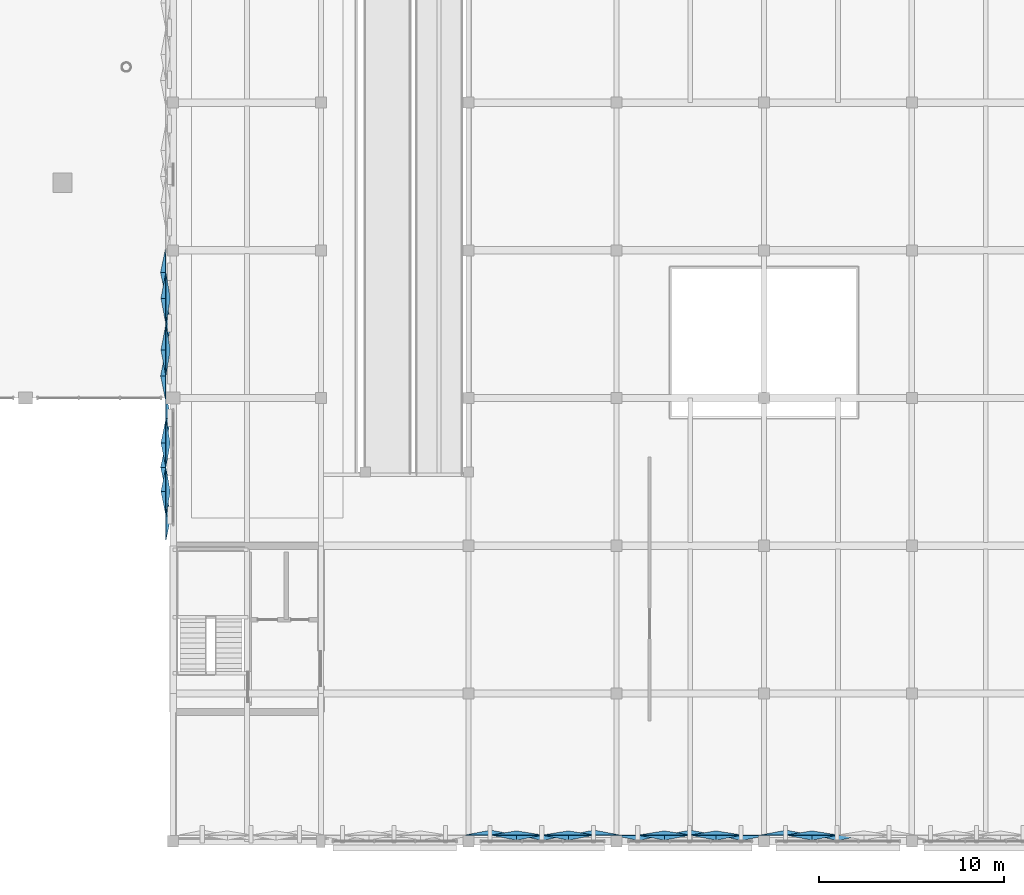
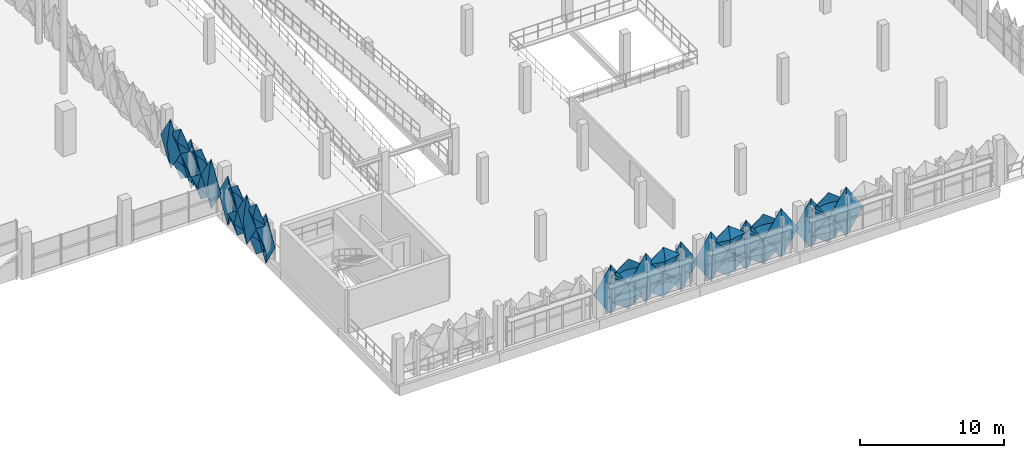
# One storey, part 94 of 123: 32 plates.
"""IFC4 building model written with IfcOpenShell, lengths in metres."""

import ifcopenshell
import ifcopenshell.guid

model = None  # the IFC model being written
_history = None  # IfcOwnerHistory: only IFC2X3 demands one
_inside = {}  # id of a spatial element -> (the spatial element, [elements in it])
_under = {}  # id of a project, library or spatial element -> (it, [spatial elements below it])
_declared = {}  # id of a project -> (the project, [libraries it declares])
_typed = {}  # id of a type object -> (the type object, [elements of that type])
_made_of = {}  # id of a material, layer set ... -> (it, [elements and type objects made of it])


def new_model(schema):
    """Start an empty IFC model of exactly this schema.

    Asked for "IFC4X3", IfcOpenShell would pick the latest addendum, in which some entities
    have other attributes; the version numbers below select the first issue.
    IFC2X3 requires an IfcOwnerHistory on every rooted entity: one is made here for all.
    """
    global model, _history
    if schema == "IFC4X3":
        model = ifcopenshell.file(schema_version=(4, 3, 0, 0))
    else:
        model = ifcopenshell.file(schema=schema)
    _inside.clear()
    _under.clear()
    _declared.clear()
    _typed.clear()
    _made_of.clear()
    _history = None
    if model.schema == "IFC2X3":
        org = make("IfcOrganization", Name="unknown")
        user = make(
            "IfcPersonAndOrganization",
            ThePerson=make("IfcPerson", FamilyName="unknown"),
            TheOrganization=org,
        )
        app = make(
            "IfcApplication",
            ApplicationDeveloper=org,
            Version="unknown",
            ApplicationFullName="unknown",
            ApplicationIdentifier="unknown",
        )
        _history = make(
            "IfcOwnerHistory",
            OwningUser=user,
            OwningApplication=app,
            ChangeAction="ADDED",
            CreationDate=0,
        )
    return model


def make(cls, **values):
    """One entity of the class cls with the attributes given. An attribute that is None is left unset."""
    return model.create_entity(
        cls, **{name: value for name, value in values.items() if value is not None}
    )


def rooted(cls, **values):
    """An entity with a GlobalId (a new one), such as an element, a storey or a relation."""
    return make(cls, GlobalId=ifcopenshell.guid.new(), OwnerHistory=_history, **values)


def si_unit(unit_type, name, prefix=None):
    """IfcSIUnit, for example si_unit("LENGTHUNIT", "METRE", prefix="MILLI")."""
    return make("IfcSIUnit", UnitType=unit_type, Prefix=prefix, Name=name)


def derived_unit(unit_type, elements):
    """IfcDerivedUnit: a product of units, each with its exponent."""
    return make(
        "IfcDerivedUnit",
        Elements=[
            make("IfcDerivedUnitElement", Unit=unit, Exponent=power)
            for unit, power in elements
        ],
        UnitType=unit_type,
    )


def assignment(units):
    """IfcUnitAssignment: the units of a project."""
    return None if units is None else make("IfcUnitAssignment", Units=units)


def point(xyz):
    """IfcCartesianPoint."""
    return None if xyz is None else make("IfcCartesianPoint", Coordinates=xyz)


def direction(xyz):
    """IfcDirection."""
    return None if xyz is None else make("IfcDirection", DirectionRatios=xyz)


def frame(location, z_axis=None, x_axis=None):
    """IfcAxis2Placement3D, a coordinate frame: its origin and axes. An axis left out is left unset."""
    return make(
        "IfcAxis2Placement3D",
        Location=point(location),
        Axis=direction(z_axis),
        RefDirection=direction(x_axis),
    )


def origin():
    """The frame at (0, 0, 0) with its axes left unset."""
    return frame((0.0, 0.0, 0.0))


def place(relative_to, where):
    """IfcLocalPlacement: puts the frame where relative to a parent placement (None: the world)."""
    return make(
        "IfcLocalPlacement", PlacementRelTo=relative_to, RelativePlacement=where
    )


def context(
    kind, dimensions, precision=None, world=None, true_north=None, identifier=None
):
    """IfcGeometricRepresentationContext, for example the 3D "Model" context."""
    return make(
        "IfcGeometricRepresentationContext",
        ContextIdentifier=identifier,
        ContextType=kind,
        CoordinateSpaceDimension=dimensions,
        Precision=precision,
        WorldCoordinateSystem=world,
        TrueNorth=true_north,
    )


def subcontext(parent, identifier, kind, view, scale=None):
    """IfcGeometricRepresentationSubContext, for example "Body" below "Model"."""
    return make(
        "IfcGeometricRepresentationSubContext",
        ContextIdentifier=identifier,
        ContextType=kind,
        ParentContext=parent,
        TargetScale=scale,
        TargetView=view,
    )


def project(units=None, contexts=None):
    """IfcProject with its units and contexts."""
    return rooted(
        "IfcProject",
        Name="project",
        RepresentationContexts=contexts,
        UnitsInContext=assignment(units),
    )


def spatial(cls, under=None, at=None, **own):
    """A site, building, storey or space (cls), placed at a placement, below another one or the project."""
    s = rooted(cls, ObjectPlacement=at, **own)
    if under is not None:
        _under.setdefault(under.id(), (under, []))[1].append(s)
    return s


def point_list(points):
    """IfcCartesianPointList2D or 3D."""
    cls = (
        "IfcCartesianPointList2D" if len(points[0]) == 2 else "IfcCartesianPointList3D"
    )
    return make(cls, CoordList=points)


def polygons(points, faces, closed=None, point_numbers=None):
    """IfcPolygonalFaceSet: a face is its outer loop, then its inner loops; points numbered from 1."""
    made = []
    for loops in faces:
        if len(loops) == 1:
            made.append(make("IfcIndexedPolygonalFace", CoordIndex=loops[0]))
        else:
            made.append(
                make(
                    "IfcIndexedPolygonalFaceWithVoids",
                    CoordIndex=loops[0],
                    InnerCoordIndices=loops[1:],
                )
            )
    return make(
        "IfcPolygonalFaceSet",
        Coordinates=point_list(points),
        Closed=closed,
        Faces=made,
        PnIndex=point_numbers,
    )


def shape(context_of_items, identifier, shape_type, items):
    """IfcShapeRepresentation: the items that make up one representation, for example the "Body"."""
    return make(
        "IfcShapeRepresentation",
        ContextOfItems=context_of_items,
        RepresentationIdentifier=identifier,
        RepresentationType=shape_type,
        Items=items,
    )


def material(Name=None, Category=None):
    """IfcMaterial."""
    return make("IfcMaterial", Name=Name, Category=Category)


def layer(
    of_material, thickness, ventilated=None, Name=None, Category=None, Priority=None
):
    """IfcMaterialLayer: one layer of a wall or slab, of a material (None: an air gap)."""
    return make(
        "IfcMaterialLayer",
        Material=of_material,
        LayerThickness=thickness,
        IsVentilated=ventilated,
        Name=Name,
        Category=Category,
        Priority=Priority,
    )


def layer_set(layers, Name=None):
    """IfcMaterialLayerSet."""
    return make("IfcMaterialLayerSet", MaterialLayers=layers, LayerSetName=Name)


def made_of(thing, what):
    """Note that an element or type object is made of a material, layer set ...; save() writes the relation."""
    if what is not None:
        _made_of.setdefault(what.id(), (what, []))[1].append(thing)
    return thing


def type_object(cls, material=None, **own):
    """A type object (cls), such as IfcWallType, which elements share."""
    return made_of(rooted(cls, **own), material)


def element(
    cls,
    number,
    at=None,
    inside=None,
    cuts=None,
    type_object=None,
    material=None,
    context=None,
    identifier="Body",
    shape_type=None,
    held_by="IfcProductDefinitionShape",
    body=None,
    shapes=None,
    **own,
):
    """One element of the class cls, such as IfcWall. Its Tag is "e" and its number.

    at: its placement. inside: the storey or other place that contains it. cuts: it is an
    opening in that element (IfcRelVoidsElement). A single representation is given by context,
    identifier, shape_type and body (its items); several are given by shapes. held_by: the class
    of the entity that holds the representations. save() writes the other relations.
    """
    e = rooted(cls, Tag="e%d" % number, ObjectPlacement=at, **own)
    if body is not None:
        shapes = [shape(context, identifier, shape_type, body)]
    if shapes is not None:
        e.Representation = make(held_by, Representations=shapes)
    if inside is not None:
        _inside.setdefault(inside.id(), (inside, []))[1].append(e)
    if cuts is not None:
        rooted(
            "IfcRelVoidsElement", RelatingBuildingElement=cuts, RelatedOpeningElement=e
        )
    if type_object is not None:
        _typed.setdefault(type_object.id(), (type_object, []))[1].append(e)
    return made_of(e, material)


def aggregate(whole, parts):
    """IfcRelAggregates: a whole, such as a stair, and the parts it consists of."""
    return rooted("IfcRelAggregates", RelatingObject=whole, RelatedObjects=parts)


def save(model, path):
    """Write the relations noted so far, then the file.

    IfcRelAggregates (storeys below a building ...), IfcRelContainedInSpatialStructure (elements
    in a storey), IfcRelDefinesByType, IfcRelAssociatesMaterial and IfcRelDeclares: one each for
    every whole, place, type object, material and project.
    """
    for whole, parts in _under.values():
        aggregate(whole, parts)
    for where, things in _inside.values():
        rooted(
            "IfcRelContainedInSpatialStructure",
            RelatedElements=things,
            RelatingStructure=where,
        )
    for kind, things in _typed.values():
        rooted("IfcRelDefinesByType", RelatedObjects=things, RelatingType=kind)
    for what, things in _made_of.values():
        rooted("IfcRelAssociatesMaterial", RelatedObjects=things, RelatingMaterial=what)
    for by, libraries in _declared.values():
        rooted("IfcRelDeclares", RelatingContext=by, RelatedDefinitions=libraries)
    model.write(path)


model = new_model("IFC4")

# Units and contexts
model_context = context("Model", 3, precision=1e-05, world=origin(), true_north=direction((0.0, 1.0)))
body_context = subcontext(model_context, "Body", "Model", "MODEL_VIEW")
ifc_project = project(units=[si_unit("LENGTHUNIT", "METRE"), si_unit("AREAUNIT", "SQUARE_METRE"), si_unit("VOLUMEUNIT", "CUBIC_METRE"), si_unit("PLANEANGLEUNIT", "RADIAN"), si_unit("MASSUNIT", "GRAM", prefix="KILO"), si_unit("THERMODYNAMICTEMPERATUREUNIT", "KELVIN"), derived_unit("THERMALTRANSMITTANCEUNIT", [(si_unit("POWERUNIT", "WATT"), 1), (si_unit("AREAUNIT", "SQUARE_METRE"), -1), (si_unit("THERMODYNAMICTEMPERATUREUNIT", "KELVIN"), -1)])], contexts=[model_context])

# Site, building, storey
site_placement = place(None, origin())
site = spatial("IfcSite", under=ifc_project, at=site_placement, CompositionType="ELEMENT")
building_placement = place(site_placement, origin())
building = spatial("IfcBuilding", under=site, at=building_placement, Name="Haiyu Intermodal Mobility Hub", CompositionType="ELEMENT")
storey_placement = place(building_placement, frame((0.0, 0.0, 5.60009765625)))
storey = spatial("IfcBuildingStorey", under=building, at=storey_placement, Name="L01", CompositionType="ELEMENT", Elevation=5.60009765625)

# Plates
ifc_material = material(Name="Anodised aluminium 6063-T6", Category="aluminium")
ifc_layer_1 = layer(ifc_material, 0.01806640625)
ifc_layer_set_1 = layer_set([ifc_layer_1], Name="Anodised aluminium 6063-T6")
plate_type_1 = type_object("IfcPlateType", Name="PLT-FC03", PredefinedType="USERDEFINED", material=ifc_layer_set_1)
plate_1_placement = place(storey_placement, origin())
element("IfcPlate", 1, at=plate_1_placement, inside=storey, type_object=plate_type_1, Name="PLT-PYR-1494", ObjectType="FACADE CASSETTE", PredefinedType="USERDEFINED", context=body_context, shape_type="Tessellation", body=[
    polygons([(172.60009765625, 16.320068359375, -0.52001953125), (173.97998046875, 16.320068359375, 0.52978515625), (172.60009765625, 16.320068359375, 1.579833984375), (171.219970703125, 16.320068359375, 0.52978515625), (172.60009765625, 16.06005859375, 0.52978515625), (172.60009765625, 16.342041015625, -0.52001953125), (173.97998046875, 16.342041015625, 0.52978515625), (172.60009765625, 16.342041015625, 1.579833984375), (171.219970703125, 16.342041015625, 0.52978515625), (172.60009765625, 16.08203125, 0.52978515625)], [[[1, 2, 5]], [[2, 3, 5]], [[3, 4, 5]], [[4, 1, 5]], [[7, 6, 10]], [[8, 7, 10]], [[9, 8, 10]], [[6, 9, 10]], [[1, 6, 7, 2]], [[2, 7, 8, 3]], [[3, 8, 9, 4]], [[4, 9, 6, 1]]], closed=True),
])
plate_2_placement = place(storey_placement, origin())
element("IfcPlate", 2, at=plate_2_placement, inside=storey, type_object=plate_type_1, Name="PLT-PYR-1500", ObjectType="FACADE CASSETTE", PredefinedType="USERDEFINED", context=body_context, shape_type="Tessellation", body=[
    polygons([(179.199951171875, 16.320068359375, -0.510009765625), (180.580078125, 16.320068359375, 1.599853515625), (179.199951171875, 16.320068359375, 3.7099609375), (177.820068359375, 16.320068359375, 1.599853515625), (179.199951171875, 16.0400390625, 1.599853515625), (179.199951171875, 16.342041015625, -0.510009765625), (180.580078125, 16.342041015625, 1.599853515625), (179.199951171875, 16.342041015625, 3.7099609375), (177.820068359375, 16.342041015625, 1.599853515625), (179.199951171875, 16.06201171875, 1.599853515625)], [[[1, 2, 5]], [[2, 3, 5]], [[3, 4, 5]], [[4, 1, 5]], [[7, 6, 10]], [[8, 7, 10]], [[9, 8, 10]], [[6, 9, 10]], [[1, 6, 7, 2]], [[2, 7, 8, 3]], [[3, 8, 9, 4]], [[4, 9, 6, 1]]], closed=True),
])
plate_3_placement = place(storey_placement, origin())
element("IfcPlate", 3, at=plate_3_placement, inside=storey, type_object=plate_type_1, Name="PLT-PYR-1504", ObjectType="FACADE CASSETTE", PredefinedType="USERDEFINED", context=body_context, shape_type="Tessellation", body=[
    polygons([(183.39990234375, 16.320068359375, -0.52001953125), (184.780029296875, 16.320068359375, 0.52978515625), (183.39990234375, 16.320068359375, 1.579833984375), (182.02001953125, 16.320068359375, 0.52978515625), (183.39990234375, 16.06005859375, 0.52978515625), (183.39990234375, 16.342041015625, -0.52001953125), (184.780029296875, 16.342041015625, 0.52978515625), (183.39990234375, 16.342041015625, 1.579833984375), (182.02001953125, 16.342041015625, 0.52978515625), (183.39990234375, 16.08203125, 0.52978515625)], [[[1, 2, 5]], [[2, 3, 5]], [[3, 4, 5]], [[4, 1, 5]], [[7, 6, 10]], [[8, 7, 10]], [[9, 8, 10]], [[6, 9, 10]], [[1, 6, 7, 2]], [[2, 7, 8, 3]], [[3, 8, 9, 4]], [[4, 9, 6, 1]]], closed=True),
])
plate_4_placement = place(storey_placement, origin())
element("IfcPlate", 4, at=plate_4_placement, inside=storey, type_object=plate_type_1, Name="PLT-PYR-1508", ObjectType="FACADE CASSETTE", PredefinedType="USERDEFINED", context=body_context, shape_type="Tessellation", body=[
    polygons([(188.60009765625, 16.320068359375, -0.52001953125), (189.97998046875, 16.320068359375, 0.52978515625), (188.60009765625, 16.320068359375, 1.579833984375), (187.219970703125, 16.320068359375, 0.52978515625), (188.60009765625, 16.06005859375, 0.52978515625), (188.60009765625, 16.342041015625, -0.52001953125), (189.97998046875, 16.342041015625, 0.52978515625), (188.60009765625, 16.342041015625, 1.579833984375), (187.219970703125, 16.342041015625, 0.52978515625), (188.60009765625, 16.08203125, 0.52978515625)], [[[1, 2, 5]], [[2, 3, 5]], [[3, 4, 5]], [[4, 1, 5]], [[7, 6, 10]], [[8, 7, 10]], [[9, 8, 10]], [[6, 9, 10]], [[1, 6, 7, 2]], [[2, 7, 8, 3]], [[3, 8, 9, 4]], [[4, 9, 6, 1]]], closed=True),
])
plate_5_placement = place(storey_placement, origin())
element("IfcPlate", 5, at=plate_5_placement, inside=storey, type_object=plate_type_1, Name="PLT-PYR-1567", ObjectType="FACADE CASSETTE", PredefinedType="USERDEFINED", context=body_context, shape_type="Tessellation", body=[
    polygons([(153.60009765625, 37.56689453125, -0.52001953125), (153.60009765625, 36.27001953125, 0.52978515625), (153.60009765625, 37.56689453125, 1.579833984375), (153.60009765625, 38.863037109375, 0.52978515625), (153.340087890625, 37.56689453125, 0.52978515625), (153.6220703125, 37.56689453125, -0.52001953125), (153.6220703125, 36.27001953125, 0.52978515625), (153.6220703125, 37.56689453125, 1.579833984375), (153.6220703125, 38.863037109375, 0.52978515625), (153.362060546875, 37.56689453125, 0.52978515625)], [[[1, 2, 5]], [[2, 3, 5]], [[3, 4, 5]], [[4, 1, 5]], [[7, 6, 10]], [[8, 7, 10]], [[9, 8, 10]], [[6, 9, 10]], [[1, 6, 7, 2]], [[2, 7, 8, 3]], [[3, 8, 9, 4]], [[4, 9, 6, 1]]], closed=True),
])
plate_6_placement = place(storey_placement, origin())
element("IfcPlate", 6, at=plate_6_placement, inside=storey, type_object=plate_type_1, Name="PLT-PYR-1573", ObjectType="FACADE CASSETTE", PredefinedType="USERDEFINED", context=body_context, shape_type="Tessellation", body=[
    polygons([(153.60009765625, 46.800048828125, -0.510009765625), (153.60009765625, 45.419921875, 1.599853515625), (153.60009765625, 46.800048828125, 3.7099609375), (153.60009765625, 48.179931640625, 1.599853515625), (153.320068359375, 46.800048828125, 1.599853515625), (153.6220703125, 46.800048828125, -0.510009765625), (153.6220703125, 45.419921875, 1.599853515625), (153.6220703125, 46.800048828125, 3.7099609375), (153.6220703125, 48.179931640625, 1.599853515625), (153.342041015625, 46.800048828125, 1.599853515625)], [[[1, 2, 5]], [[2, 3, 5]], [[3, 4, 5]], [[4, 1, 5]], [[7, 6, 10]], [[8, 7, 10]], [[9, 8, 10]], [[6, 9, 10]], [[1, 6, 7, 2]], [[2, 7, 8, 3]], [[3, 8, 9, 4]], [[4, 9, 6, 1]]], closed=True),
])
plate_7_placement = place(storey_placement, origin())
element("IfcPlate", 7, at=plate_7_placement, inside=storey, type_object=plate_type_1, Name="PLT-PYR-1577", ObjectType="FACADE CASSETTE", PredefinedType="USERDEFINED", context=body_context, shape_type="Tessellation", body=[
    polygons([(153.60009765625, 42.60009765625, -0.52001953125), (153.60009765625, 41.219970703125, 0.52978515625), (153.60009765625, 42.60009765625, 1.579833984375), (153.60009765625, 43.97998046875, 0.52978515625), (153.340087890625, 42.60009765625, 0.52978515625), (153.6220703125, 42.60009765625, -0.52001953125), (153.6220703125, 41.219970703125, 0.52978515625), (153.6220703125, 42.60009765625, 1.579833984375), (153.6220703125, 43.97998046875, 0.52978515625), (153.362060546875, 42.60009765625, 0.52978515625)], [[[1, 2, 5]], [[2, 3, 5]], [[3, 4, 5]], [[4, 1, 5]], [[7, 6, 10]], [[8, 7, 10]], [[9, 8, 10]], [[6, 9, 10]], [[1, 6, 7, 2]], [[2, 7, 8, 3]], [[3, 8, 9, 4]], [[4, 9, 6, 1]]], closed=True),
])
ifc_layer_2 = layer(ifc_material, 0.02001953125)
ifc_layer_set_2 = layer_set([ifc_layer_2], Name="Anodised aluminium 6063-T6")
plate_type_2 = type_object("IfcPlateType", Name="PLT-FC04", PredefinedType="USERDEFINED", material=ifc_layer_set_2)
plate_8_placement = place(storey_placement, origin())
element("IfcPlate", 8, at=plate_8_placement, inside=storey, type_object=plate_type_2, Name="PLT-PYR-1493", ObjectType="FACADE CASSETTE", PredefinedType="USERDEFINED", context=body_context, shape_type="Tessellation", body=[
    polygons([(171.199951171875, 16.320068359375, -0.510009765625), (172.580078125, 16.320068359375, 1.599853515625), (171.199951171875, 16.320068359375, 3.7099609375), (169.820068359375, 16.320068359375, 1.599853515625), (171.199951171875, 16.580078125, 1.599853515625), (171.199951171875, 16.342041015625, -0.510009765625), (172.580078125, 16.342041015625, 1.599853515625), (171.199951171875, 16.342041015625, 3.7099609375), (169.820068359375, 16.342041015625, 1.599853515625), (171.199951171875, 16.60205078125, 1.599853515625)], [[[1, 2, 5]], [[2, 3, 5]], [[3, 4, 5]], [[4, 1, 5]], [[7, 6, 10]], [[8, 7, 10]], [[9, 8, 10]], [[6, 9, 10]], [[1, 6, 7, 2]], [[2, 7, 8, 3]], [[3, 8, 9, 4]], [[4, 9, 6, 1]]], closed=True),
])
plate_9_placement = place(storey_placement, origin())
element("IfcPlate", 9, at=plate_9_placement, inside=storey, type_object=plate_type_2, Name="PLT-PYR-1497", ObjectType="FACADE CASSETTE", PredefinedType="USERDEFINED", context=body_context, shape_type="Tessellation", body=[
    polygons([(175.39990234375, 16.320068359375, -0.52001953125), (176.780029296875, 16.320068359375, 0.52978515625), (175.39990234375, 16.320068359375, 1.579833984375), (174.02001953125, 16.320068359375, 0.52978515625), (175.39990234375, 16.5400390625, 0.52978515625), (175.39990234375, 16.342041015625, -0.52001953125), (176.780029296875, 16.342041015625, 0.52978515625), (175.39990234375, 16.342041015625, 1.579833984375), (174.02001953125, 16.342041015625, 0.52978515625), (175.39990234375, 16.56201171875, 0.52978515625)], [[[1, 2, 5]], [[2, 3, 5]], [[3, 4, 5]], [[4, 1, 5]], [[7, 6, 10]], [[8, 7, 10]], [[9, 8, 10]], [[6, 9, 10]], [[1, 6, 7, 2]], [[2, 7, 8, 3]], [[3, 8, 9, 4]], [[4, 9, 6, 1]]], closed=True),
])
plate_10_placement = place(storey_placement, origin())
element("IfcPlate", 10, at=plate_10_placement, inside=storey, type_object=plate_type_2, Name="PLT-PYR-1501", ObjectType="FACADE CASSETTE", PredefinedType="USERDEFINED", context=body_context, shape_type="Tessellation", body=[
    polygons([(180.60009765625, 16.320068359375, -0.52001953125), (181.97998046875, 16.320068359375, 0.52978515625), (180.60009765625, 16.320068359375, 1.579833984375), (179.219970703125, 16.320068359375, 0.52978515625), (180.60009765625, 16.5400390625, 0.52978515625), (180.60009765625, 16.342041015625, -0.52001953125), (181.97998046875, 16.342041015625, 0.52978515625), (180.60009765625, 16.342041015625, 1.579833984375), (179.219970703125, 16.342041015625, 0.52978515625), (180.60009765625, 16.56201171875, 0.52978515625)], [[[1, 2, 5]], [[2, 3, 5]], [[3, 4, 5]], [[4, 1, 5]], [[7, 6, 10]], [[8, 7, 10]], [[9, 8, 10]], [[6, 9, 10]], [[1, 6, 7, 2]], [[2, 7, 8, 3]], [[3, 8, 9, 4]], [[4, 9, 6, 1]]], closed=True),
])
plate_11_placement = place(storey_placement, origin())
element("IfcPlate", 11, at=plate_11_placement, inside=storey, type_object=plate_type_2, Name="PLT-PYR-1507", ObjectType="FACADE CASSETTE", PredefinedType="USERDEFINED", context=body_context, shape_type="Tessellation", body=[
    polygons([(187.199951171875, 16.320068359375, -0.510009765625), (188.580078125, 16.320068359375, 1.599853515625), (187.199951171875, 16.320068359375, 3.7099609375), (185.820068359375, 16.320068359375, 1.599853515625), (187.199951171875, 16.580078125, 1.599853515625), (187.199951171875, 16.342041015625, -0.510009765625), (188.580078125, 16.342041015625, 1.599853515625), (187.199951171875, 16.342041015625, 3.7099609375), (185.820068359375, 16.342041015625, 1.599853515625), (187.199951171875, 16.60205078125, 1.599853515625)], [[[1, 2, 5]], [[2, 3, 5]], [[3, 4, 5]], [[4, 1, 5]], [[7, 6, 10]], [[8, 7, 10]], [[9, 8, 10]], [[6, 9, 10]], [[1, 6, 7, 2]], [[2, 7, 8, 3]], [[3, 8, 9, 4]], [[4, 9, 6, 1]]], closed=True),
])
plate_12_placement = place(storey_placement, origin())
element("IfcPlate", 12, at=plate_12_placement, inside=storey, type_object=plate_type_2, Name="PLT-PYR-1566", ObjectType="FACADE CASSETTE", PredefinedType="USERDEFINED", context=body_context, shape_type="Tessellation", body=[
    polygons([(153.60009765625, 38.883056640625, -0.510009765625), (153.60009765625, 37.5869140625, 1.599853515625), (153.60009765625, 38.883056640625, 3.7099609375), (153.60009765625, 40.179931640625, 1.599853515625), (153.860107421875, 38.883056640625, 1.599853515625), (153.6220703125, 38.883056640625, -0.510009765625), (153.6220703125, 37.5869140625, 1.599853515625), (153.6220703125, 38.883056640625, 3.7099609375), (153.6220703125, 40.179931640625, 1.599853515625), (153.882080078125, 38.883056640625, 1.599853515625)], [[[1, 2, 5]], [[2, 3, 5]], [[3, 4, 5]], [[4, 1, 5]], [[7, 6, 10]], [[8, 7, 10]], [[9, 8, 10]], [[6, 9, 10]], [[1, 6, 7, 2]], [[2, 7, 8, 3]], [[3, 8, 9, 4]], [[4, 9, 6, 1]]], closed=True),
])
plate_13_placement = place(storey_placement, origin())
element("IfcPlate", 13, at=plate_13_placement, inside=storey, type_object=plate_type_2, Name="PLT-PYR-1570", ObjectType="FACADE CASSETTE", PredefinedType="USERDEFINED", context=body_context, shape_type="Tessellation", body=[
    polygons([(153.60009765625, 34.93310546875, -0.52001953125), (153.60009765625, 33.636962890625, 0.52978515625), (153.60009765625, 34.93310546875, 1.579833984375), (153.60009765625, 36.22998046875, 0.52978515625), (153.820068359375, 34.93310546875, 0.52978515625), (153.6220703125, 34.93310546875, -0.52001953125), (153.6220703125, 33.636962890625, 0.52978515625), (153.6220703125, 34.93310546875, 1.579833984375), (153.6220703125, 36.22998046875, 0.52978515625), (153.842041015625, 34.93310546875, 0.52978515625)], [[[1, 2, 5]], [[2, 3, 5]], [[3, 4, 5]], [[4, 1, 5]], [[7, 6, 10]], [[8, 7, 10]], [[9, 8, 10]], [[6, 9, 10]], [[1, 6, 7, 2]], [[2, 7, 8, 3]], [[3, 8, 9, 4]], [[4, 9, 6, 1]]], closed=True),
])
plate_14_placement = place(storey_placement, origin())
element("IfcPlate", 14, at=plate_14_placement, inside=storey, type_object=plate_type_2, Name="PLT-PYR-1574", ObjectType="FACADE CASSETTE", PredefinedType="USERDEFINED", context=body_context, shape_type="Tessellation", body=[
    polygons([(153.60009765625, 45.39990234375, -0.52001953125), (153.60009765625, 44.02001953125, 0.52978515625), (153.60009765625, 45.39990234375, 1.579833984375), (153.60009765625, 46.780029296875, 0.52978515625), (153.820068359375, 45.39990234375, 0.52978515625), (153.6220703125, 45.39990234375, -0.52001953125), (153.6220703125, 44.02001953125, 0.52978515625), (153.6220703125, 45.39990234375, 1.579833984375), (153.6220703125, 46.780029296875, 0.52978515625), (153.842041015625, 45.39990234375, 0.52978515625)], [[[1, 2, 5]], [[2, 3, 5]], [[3, 4, 5]], [[4, 1, 5]], [[7, 6, 10]], [[8, 7, 10]], [[9, 8, 10]], [[6, 9, 10]], [[1, 6, 7, 2]], [[2, 7, 8, 3]], [[3, 8, 9, 4]], [[4, 9, 6, 1]]], closed=True),
])
ifc_layer_3 = layer(ifc_material, 0.01806640625)
ifc_layer_set_3 = layer_set([ifc_layer_3], Name="Anodised aluminium 6063-T6")
plate_type_3 = type_object("IfcPlateType", Name="PLT-FC05", PredefinedType="USERDEFINED", material=ifc_layer_set_3)
plate_15_placement = place(storey_placement, origin())
element("IfcPlate", 15, at=plate_15_placement, inside=storey, type_object=plate_type_3, Name="PLT-PYR-1496", ObjectType="FACADE CASSETTE", PredefinedType="USERDEFINED", context=body_context, shape_type="Tessellation", body=[
    polygons([(174.0, 16.320068359375, -0.510009765625), (175.3798828125, 16.320068359375, 1.599853515625), (174.0, 16.320068359375, 3.7099609375), (172.6201171875, 16.320068359375, 1.599853515625), (174.0, 16.0400390625, 1.599853515625), (174.0, 16.342041015625, -0.510009765625), (175.3798828125, 16.342041015625, 1.599853515625), (174.0, 16.342041015625, 3.7099609375), (172.6201171875, 16.342041015625, 1.599853515625), (174.0, 16.06201171875, 1.599853515625)], [[[1, 2, 5]], [[2, 3, 5]], [[3, 4, 5]], [[4, 1, 5]], [[7, 6, 10]], [[8, 7, 10]], [[9, 8, 10]], [[6, 9, 10]], [[1, 6, 7, 2]], [[2, 7, 8, 3]], [[3, 8, 9, 4]], [[4, 9, 6, 1]]], closed=True),
])
plate_16_placement = place(storey_placement, origin())
element("IfcPlate", 16, at=plate_16_placement, inside=storey, type_object=plate_type_3, Name="PLT-PYR-1498", ObjectType="FACADE CASSETTE", PredefinedType="USERDEFINED", context=body_context, shape_type="Tessellation", body=[
    polygons([(175.39990234375, 16.320068359375, 1.619873046875), (176.780029296875, 16.320068359375, 2.669921875), (175.39990234375, 16.320068359375, 3.719970703125), (174.02001953125, 16.320068359375, 2.669921875), (175.39990234375, 16.06005859375, 2.669921875), (175.39990234375, 16.342041015625, 1.619873046875), (176.780029296875, 16.342041015625, 2.669921875), (175.39990234375, 16.342041015625, 3.719970703125), (174.02001953125, 16.342041015625, 2.669921875), (175.39990234375, 16.08203125, 2.669921875)], [[[1, 2, 5]], [[2, 3, 5]], [[3, 4, 5]], [[4, 1, 5]], [[7, 6, 10]], [[8, 7, 10]], [[9, 8, 10]], [[6, 9, 10]], [[1, 6, 7, 2]], [[2, 7, 8, 3]], [[3, 8, 9, 4]], [[4, 9, 6, 1]]], closed=True),
])
plate_17_placement = place(storey_placement, origin())
element("IfcPlate", 17, at=plate_17_placement, inside=storey, type_object=plate_type_3, Name="PLT-PYR-1502", ObjectType="FACADE CASSETTE", PredefinedType="USERDEFINED", context=body_context, shape_type="Tessellation", body=[
    polygons([(180.60009765625, 16.320068359375, 1.619873046875), (181.97998046875, 16.320068359375, 2.669921875), (180.60009765625, 16.320068359375, 3.719970703125), (179.219970703125, 16.320068359375, 2.669921875), (180.60009765625, 16.06005859375, 2.669921875), (180.60009765625, 16.342041015625, 1.619873046875), (181.97998046875, 16.342041015625, 2.669921875), (180.60009765625, 16.342041015625, 3.719970703125), (179.219970703125, 16.342041015625, 2.669921875), (180.60009765625, 16.08203125, 2.669921875)], [[[1, 2, 5]], [[2, 3, 5]], [[3, 4, 5]], [[4, 1, 5]], [[7, 6, 10]], [[8, 7, 10]], [[9, 8, 10]], [[6, 9, 10]], [[1, 6, 7, 2]], [[2, 7, 8, 3]], [[3, 8, 9, 4]], [[4, 9, 6, 1]]], closed=True),
])
plate_18_placement = place(storey_placement, origin())
element("IfcPlate", 18, at=plate_18_placement, inside=storey, type_object=plate_type_3, Name="PLT-PYR-1510", ObjectType="FACADE CASSETTE", PredefinedType="USERDEFINED", context=body_context, shape_type="Tessellation", body=[
    polygons([(190.0, 16.320068359375, -0.510009765625), (191.3798828125, 16.320068359375, 1.599853515625), (190.0, 16.320068359375, 3.7099609375), (188.6201171875, 16.320068359375, 1.599853515625), (190.0, 16.0400390625, 1.599853515625), (190.0, 16.342041015625, -0.510009765625), (191.3798828125, 16.342041015625, 1.599853515625), (190.0, 16.342041015625, 3.7099609375), (188.6201171875, 16.342041015625, 1.599853515625), (190.0, 16.06201171875, 1.599853515625)], [[[1, 2, 5]], [[2, 3, 5]], [[3, 4, 5]], [[4, 1, 5]], [[7, 6, 10]], [[8, 7, 10]], [[9, 8, 10]], [[6, 9, 10]], [[1, 6, 7, 2]], [[2, 7, 8, 3]], [[3, 8, 9, 4]], [[4, 9, 6, 1]]], closed=True),
])
plate_19_placement = place(storey_placement, origin())
element("IfcPlate", 19, at=plate_19_placement, inside=storey, type_object=plate_type_3, Name="PLT-PYR-1569", ObjectType="FACADE CASSETTE", PredefinedType="USERDEFINED", context=body_context, shape_type="Tessellation", body=[
    polygons([(153.60009765625, 36.25, -0.510009765625), (153.60009765625, 34.952880859375, 1.599853515625), (153.60009765625, 36.25, 3.7099609375), (153.60009765625, 37.547119140625, 1.599853515625), (153.320068359375, 36.25, 1.599853515625), (153.6220703125, 36.25, -0.510009765625), (153.6220703125, 34.952880859375, 1.599853515625), (153.6220703125, 36.25, 3.7099609375), (153.6220703125, 37.547119140625, 1.599853515625), (153.342041015625, 36.25, 1.599853515625)], [[[1, 2, 5]], [[2, 3, 5]], [[3, 4, 5]], [[4, 1, 5]], [[7, 6, 10]], [[8, 7, 10]], [[9, 8, 10]], [[6, 9, 10]], [[1, 6, 7, 2]], [[2, 7, 8, 3]], [[3, 8, 9, 4]], [[4, 9, 6, 1]]], closed=True),
])
plate_20_placement = place(storey_placement, origin())
element("IfcPlate", 20, at=plate_20_placement, inside=storey, type_object=plate_type_3, Name="PLT-PYR-1571", ObjectType="FACADE CASSETTE", PredefinedType="USERDEFINED", context=body_context, shape_type="Tessellation", body=[
    polygons([(153.60009765625, 34.93310546875, 1.619873046875), (153.60009765625, 33.636962890625, 2.669921875), (153.60009765625, 34.93310546875, 3.719970703125), (153.60009765625, 36.22998046875, 2.669921875), (153.340087890625, 34.93310546875, 2.669921875), (153.6220703125, 34.93310546875, 1.619873046875), (153.6220703125, 33.636962890625, 2.669921875), (153.6220703125, 34.93310546875, 3.719970703125), (153.6220703125, 36.22998046875, 2.669921875), (153.362060546875, 34.93310546875, 2.669921875)], [[[1, 2, 5]], [[2, 3, 5]], [[3, 4, 5]], [[4, 1, 5]], [[7, 6, 10]], [[8, 7, 10]], [[9, 8, 10]], [[6, 9, 10]], [[1, 6, 7, 2]], [[2, 7, 8, 3]], [[3, 8, 9, 4]], [[4, 9, 6, 1]]], closed=True),
])
plate_21_placement = place(storey_placement, origin())
element("IfcPlate", 21, at=plate_21_placement, inside=storey, type_object=plate_type_3, Name="PLT-PYR-1575", ObjectType="FACADE CASSETTE", PredefinedType="USERDEFINED", context=body_context, shape_type="Tessellation", body=[
    polygons([(153.60009765625, 45.39990234375, 1.619873046875), (153.60009765625, 44.02001953125, 2.669921875), (153.60009765625, 45.39990234375, 3.719970703125), (153.60009765625, 46.780029296875, 2.669921875), (153.340087890625, 45.39990234375, 2.669921875), (153.6220703125, 45.39990234375, 1.619873046875), (153.6220703125, 44.02001953125, 2.669921875), (153.6220703125, 45.39990234375, 3.719970703125), (153.6220703125, 46.780029296875, 2.669921875), (153.362060546875, 45.39990234375, 2.669921875)], [[[1, 2, 5]], [[2, 3, 5]], [[3, 4, 5]], [[4, 1, 5]], [[7, 6, 10]], [[8, 7, 10]], [[9, 8, 10]], [[6, 9, 10]], [[1, 6, 7, 2]], [[2, 7, 8, 3]], [[3, 8, 9, 4]], [[4, 9, 6, 1]]], closed=True),
])
ifc_layer_4 = layer(ifc_material, 0.02001953125)
ifc_layer_set_4 = layer_set([ifc_layer_4], Name="Anodised aluminium 6063-T6")
plate_type_4 = type_object("IfcPlateType", Name="PLT-FC06", PredefinedType="USERDEFINED", material=ifc_layer_set_4)
plate_22_placement = place(storey_placement, origin())
element("IfcPlate", 22, at=plate_22_placement, inside=storey, type_object=plate_type_4, Name="PLT-PYR-1495", ObjectType="FACADE CASSETTE", PredefinedType="USERDEFINED", context=body_context, shape_type="Tessellation", body=[
    polygons([(172.60009765625, 16.320068359375, 1.619873046875), (173.97998046875, 16.320068359375, 2.669921875), (172.60009765625, 16.320068359375, 3.719970703125), (171.219970703125, 16.320068359375, 2.669921875), (172.60009765625, 16.5400390625, 2.669921875), (172.60009765625, 16.342041015625, 1.619873046875), (173.97998046875, 16.342041015625, 2.669921875), (172.60009765625, 16.342041015625, 3.719970703125), (171.219970703125, 16.342041015625, 2.669921875), (172.60009765625, 16.56201171875, 2.669921875)], [[[1, 2, 5]], [[2, 3, 5]], [[3, 4, 5]], [[4, 1, 5]], [[7, 6, 10]], [[8, 7, 10]], [[9, 8, 10]], [[6, 9, 10]], [[1, 6, 7, 2]], [[2, 7, 8, 3]], [[3, 8, 9, 4]], [[4, 9, 6, 1]]], closed=True),
])
plate_23_placement = place(storey_placement, origin())
element("IfcPlate", 23, at=plate_23_placement, inside=storey, type_object=plate_type_4, Name="PLT-PYR-1503", ObjectType="FACADE CASSETTE", PredefinedType="USERDEFINED", context=body_context, shape_type="Tessellation", body=[
    polygons([(182.0, 16.320068359375, -0.510009765625), (183.3798828125, 16.320068359375, 1.599853515625), (182.0, 16.320068359375, 3.7099609375), (180.6201171875, 16.320068359375, 1.599853515625), (182.0, 16.580078125, 1.599853515625), (182.0, 16.342041015625, -0.510009765625), (183.3798828125, 16.342041015625, 1.599853515625), (182.0, 16.342041015625, 3.7099609375), (180.6201171875, 16.342041015625, 1.599853515625), (182.0, 16.60205078125, 1.599853515625)], [[[1, 2, 5]], [[2, 3, 5]], [[3, 4, 5]], [[4, 1, 5]], [[7, 6, 10]], [[8, 7, 10]], [[9, 8, 10]], [[6, 9, 10]], [[1, 6, 7, 2]], [[2, 7, 8, 3]], [[3, 8, 9, 4]], [[4, 9, 6, 1]]], closed=True),
])
plate_24_placement = place(storey_placement, origin())
element("IfcPlate", 24, at=plate_24_placement, inside=storey, type_object=plate_type_4, Name="PLT-PYR-1505", ObjectType="FACADE CASSETTE", PredefinedType="USERDEFINED", context=body_context, shape_type="Tessellation", body=[
    polygons([(183.39990234375, 16.320068359375, 1.619873046875), (184.780029296875, 16.320068359375, 2.669921875), (183.39990234375, 16.320068359375, 3.719970703125), (182.02001953125, 16.320068359375, 2.669921875), (183.39990234375, 16.5400390625, 2.669921875), (183.39990234375, 16.342041015625, 1.619873046875), (184.780029296875, 16.342041015625, 2.669921875), (183.39990234375, 16.342041015625, 3.719970703125), (182.02001953125, 16.342041015625, 2.669921875), (183.39990234375, 16.56201171875, 2.669921875)], [[[1, 2, 5]], [[2, 3, 5]], [[3, 4, 5]], [[4, 1, 5]], [[7, 6, 10]], [[8, 7, 10]], [[9, 8, 10]], [[6, 9, 10]], [[1, 6, 7, 2]], [[2, 7, 8, 3]], [[3, 8, 9, 4]], [[4, 9, 6, 1]]], closed=True),
])
plate_25_placement = place(storey_placement, origin())
element("IfcPlate", 25, at=plate_25_placement, inside=storey, type_object=plate_type_4, Name="PLT-PYR-1509", ObjectType="FACADE CASSETTE", PredefinedType="USERDEFINED", context=body_context, shape_type="Tessellation", body=[
    polygons([(188.60009765625, 16.320068359375, 1.619873046875), (189.97998046875, 16.320068359375, 2.669921875), (188.60009765625, 16.320068359375, 3.719970703125), (187.219970703125, 16.320068359375, 2.669921875), (188.60009765625, 16.5400390625, 2.669921875), (188.60009765625, 16.342041015625, 1.619873046875), (189.97998046875, 16.342041015625, 2.669921875), (188.60009765625, 16.342041015625, 3.719970703125), (187.219970703125, 16.342041015625, 2.669921875), (188.60009765625, 16.56201171875, 2.669921875)], [[[1, 2, 5]], [[2, 3, 5]], [[3, 4, 5]], [[4, 1, 5]], [[7, 6, 10]], [[8, 7, 10]], [[9, 8, 10]], [[6, 9, 10]], [[1, 6, 7, 2]], [[2, 7, 8, 3]], [[3, 8, 9, 4]], [[4, 9, 6, 1]]], closed=True),
])
plate_26_placement = place(storey_placement, origin())
element("IfcPlate", 26, at=plate_26_placement, inside=storey, type_object=plate_type_4, Name="PLT-PYR-1568", ObjectType="FACADE CASSETTE", PredefinedType="USERDEFINED", context=body_context, shape_type="Tessellation", body=[
    polygons([(153.60009765625, 37.56689453125, 1.619873046875), (153.60009765625, 36.27001953125, 2.669921875), (153.60009765625, 37.56689453125, 3.719970703125), (153.60009765625, 38.863037109375, 2.669921875), (153.820068359375, 37.56689453125, 2.669921875), (153.6220703125, 37.56689453125, 1.619873046875), (153.6220703125, 36.27001953125, 2.669921875), (153.6220703125, 37.56689453125, 3.719970703125), (153.6220703125, 38.863037109375, 2.669921875), (153.842041015625, 37.56689453125, 2.669921875)], [[[1, 2, 5]], [[2, 3, 5]], [[3, 4, 5]], [[4, 1, 5]], [[7, 6, 10]], [[8, 7, 10]], [[9, 8, 10]], [[6, 9, 10]], [[1, 6, 7, 2]], [[2, 7, 8, 3]], [[3, 8, 9, 4]], [[4, 9, 6, 1]]], closed=True),
])
plate_27_placement = place(storey_placement, origin())
element("IfcPlate", 27, at=plate_27_placement, inside=storey, type_object=plate_type_4, Name="PLT-PYR-1576", ObjectType="FACADE CASSETTE", PredefinedType="USERDEFINED", context=body_context, shape_type="Tessellation", body=[
    polygons([(153.60009765625, 44.0, -0.510009765625), (153.60009765625, 42.6201171875, 1.599853515625), (153.60009765625, 44.0, 3.7099609375), (153.60009765625, 45.3798828125, 1.599853515625), (153.860107421875, 44.0, 1.599853515625), (153.6220703125, 44.0, -0.510009765625), (153.6220703125, 42.6201171875, 1.599853515625), (153.6220703125, 44.0, 3.7099609375), (153.6220703125, 45.3798828125, 1.599853515625), (153.882080078125, 44.0, 1.599853515625)], [[[1, 2, 5]], [[2, 3, 5]], [[3, 4, 5]], [[4, 1, 5]], [[7, 6, 10]], [[8, 7, 10]], [[9, 8, 10]], [[6, 9, 10]], [[1, 6, 7, 2]], [[2, 7, 8, 3]], [[3, 8, 9, 4]], [[4, 9, 6, 1]]], closed=True),
])
plate_28_placement = place(storey_placement, origin())
element("IfcPlate", 28, at=plate_28_placement, inside=storey, type_object=plate_type_4, Name="PLT-PYR-1578", ObjectType="FACADE CASSETTE", PredefinedType="USERDEFINED", context=body_context, shape_type="Tessellation", body=[
    polygons([(153.60009765625, 42.60009765625, 1.619873046875), (153.60009765625, 41.219970703125, 2.669921875), (153.60009765625, 42.60009765625, 3.719970703125), (153.60009765625, 43.97998046875, 2.669921875), (153.820068359375, 42.60009765625, 2.669921875), (153.6220703125, 42.60009765625, 1.619873046875), (153.6220703125, 41.219970703125, 2.669921875), (153.6220703125, 42.60009765625, 3.719970703125), (153.6220703125, 43.97998046875, 2.669921875), (153.842041015625, 42.60009765625, 2.669921875)], [[[1, 2, 5]], [[2, 3, 5]], [[3, 4, 5]], [[4, 1, 5]], [[7, 6, 10]], [[8, 7, 10]], [[9, 8, 10]], [[6, 9, 10]], [[1, 6, 7, 2]], [[2, 7, 8, 3]], [[3, 8, 9, 4]], [[4, 9, 6, 1]]], closed=True),
])
ifc_layer_5 = layer(ifc_material, 0.02197265625)
ifc_layer_set_5 = layer_set([ifc_layer_5], Name="Anodised aluminium 6063-T6")
plate_type_5 = type_object("IfcPlateType", Name="PLT-FC07", PredefinedType="USERDEFINED", material=ifc_layer_set_5)
plate_29_placement = place(storey_placement, origin())
element("IfcPlate", 29, at=plate_29_placement, inside=storey, type_object=plate_type_5, Name="PLT-PYR-1506", ObjectType="FACADE CASSETTE", PredefinedType="USERDEFINED", context=body_context, shape_type="Tessellation", body=[
    polygons([(184.800048828125, 16.320068359375, -0.510009765625), (186.179931640625, 16.320068359375, 1.599853515625), (184.800048828125, 16.320068359375, 3.7099609375), (183.419921875, 16.320068359375, 1.599853515625), (184.800048828125, 16.0400390625, 1.599853515625), (184.800048828125, 16.342041015625, -0.510009765625), (186.179931640625, 16.342041015625, 1.599853515625), (184.800048828125, 16.342041015625, 3.7099609375), (183.419921875, 16.342041015625, 1.599853515625), (184.800048828125, 16.06201171875, 1.599853515625)], [[[1, 2, 5]], [[2, 3, 5]], [[3, 4, 5]], [[4, 1, 5]], [[7, 6, 10]], [[8, 7, 10]], [[9, 8, 10]], [[6, 9, 10]], [[1, 6, 7, 2]], [[2, 7, 8, 3]], [[3, 8, 9, 4]], [[4, 9, 6, 1]]], closed=True),
])
plate_30_placement = place(storey_placement, origin())
element("IfcPlate", 30, at=plate_30_placement, inside=storey, type_object=plate_type_5, Name="PLT-PYR-1579", ObjectType="FACADE CASSETTE", PredefinedType="USERDEFINED", context=body_context, shape_type="Tessellation", body=[
    polygons([(153.60009765625, 41.199951171875, -0.510009765625), (153.60009765625, 39.820068359375, 1.599853515625), (153.60009765625, 41.199951171875, 3.7099609375), (153.60009765625, 42.580078125, 1.599853515625), (153.320068359375, 41.199951171875, 1.599853515625), (153.6220703125, 41.199951171875, -0.510009765625), (153.6220703125, 39.820068359375, 1.599853515625), (153.6220703125, 41.199951171875, 3.7099609375), (153.6220703125, 42.580078125, 1.599853515625), (153.342041015625, 41.199951171875, 1.599853515625)], [[[1, 2, 5]], [[2, 3, 5]], [[3, 4, 5]], [[4, 1, 5]], [[7, 6, 10]], [[8, 7, 10]], [[9, 8, 10]], [[6, 9, 10]], [[1, 6, 7, 2]], [[2, 7, 8, 3]], [[3, 8, 9, 4]], [[4, 9, 6, 1]]], closed=True),
])
ifc_layer_6 = layer(ifc_material, 0.02392578125)
ifc_layer_set_6 = layer_set([ifc_layer_6], Name="Anodised aluminium 6063-T6")
plate_type_6 = type_object("IfcPlateType", Name="PLT-FC08", PredefinedType="USERDEFINED", material=ifc_layer_set_6)
plate_31_placement = place(storey_placement, origin())
element("IfcPlate", 31, at=plate_31_placement, inside=storey, type_object=plate_type_6, Name="PLT-PYR-1499", ObjectType="FACADE CASSETTE", PredefinedType="USERDEFINED", context=body_context, shape_type="Tessellation", body=[
    polygons([(176.800048828125, 16.320068359375, -0.510009765625), (178.179931640625, 16.320068359375, 1.599853515625), (176.800048828125, 16.320068359375, 3.7099609375), (175.419921875, 16.320068359375, 1.599853515625), (176.800048828125, 16.580078125, 1.599853515625), (176.800048828125, 16.342041015625, -0.510009765625), (178.179931640625, 16.342041015625, 1.599853515625), (176.800048828125, 16.342041015625, 3.7099609375), (175.419921875, 16.342041015625, 1.599853515625), (176.800048828125, 16.60205078125, 1.599853515625)], [[[1, 2, 5]], [[2, 3, 5]], [[3, 4, 5]], [[4, 1, 5]], [[7, 6, 10]], [[8, 7, 10]], [[9, 8, 10]], [[6, 9, 10]], [[1, 6, 7, 2]], [[2, 7, 8, 3]], [[3, 8, 9, 4]], [[4, 9, 6, 1]]], closed=True),
])
plate_32_placement = place(storey_placement, origin())
element("IfcPlate", 32, at=plate_32_placement, inside=storey, type_object=plate_type_6, Name="PLT-PYR-1572", ObjectType="FACADE CASSETTE", PredefinedType="USERDEFINED", context=body_context, shape_type="Tessellation", body=[
    polygons([(153.60009765625, 33.616943359375, -0.510009765625), (153.60009765625, 32.320068359375, 1.599853515625), (153.60009765625, 33.616943359375, 3.7099609375), (153.60009765625, 34.9130859375, 1.599853515625), (153.860107421875, 33.616943359375, 1.599853515625), (153.6220703125, 33.616943359375, -0.510009765625), (153.6220703125, 32.320068359375, 1.599853515625), (153.6220703125, 33.616943359375, 3.7099609375), (153.6220703125, 34.9130859375, 1.599853515625), (153.882080078125, 33.616943359375, 1.599853515625)], [[[1, 2, 5]], [[2, 3, 5]], [[3, 4, 5]], [[4, 1, 5]], [[7, 6, 10]], [[8, 7, 10]], [[9, 8, 10]], [[6, 9, 10]], [[1, 6, 7, 2]], [[2, 7, 8, 3]], [[3, 8, 9, 4]], [[4, 9, 6, 1]]], closed=True),
])

save(model, "model.ifc")
